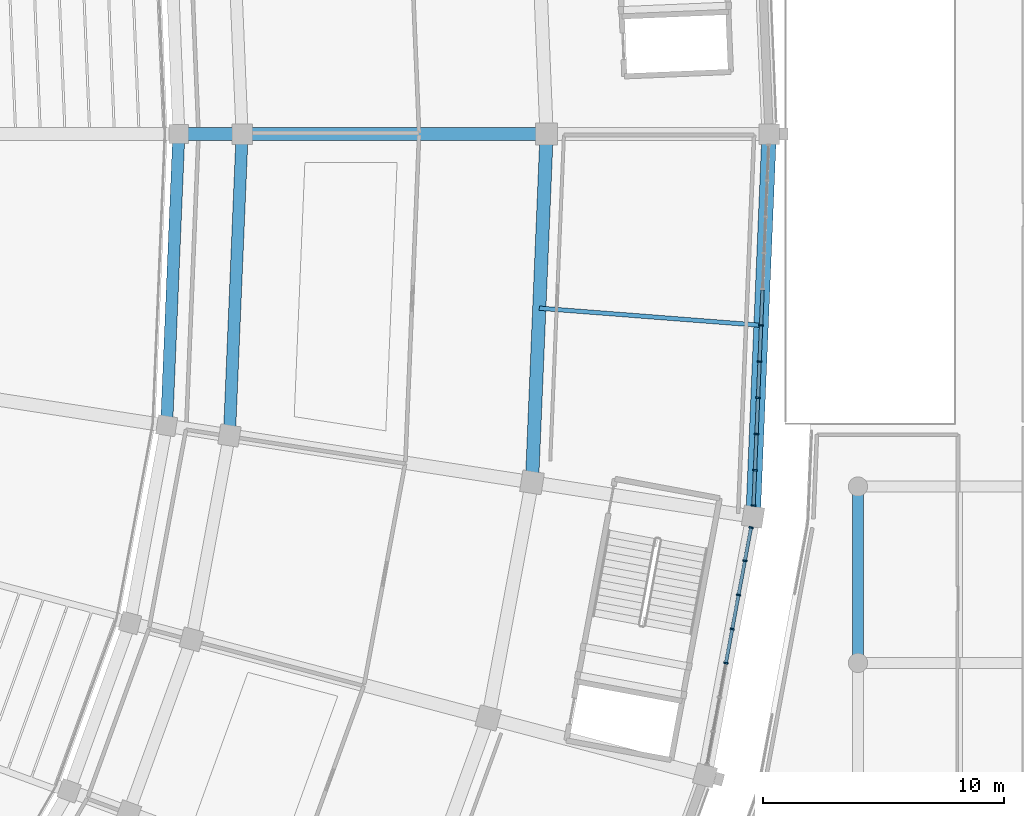
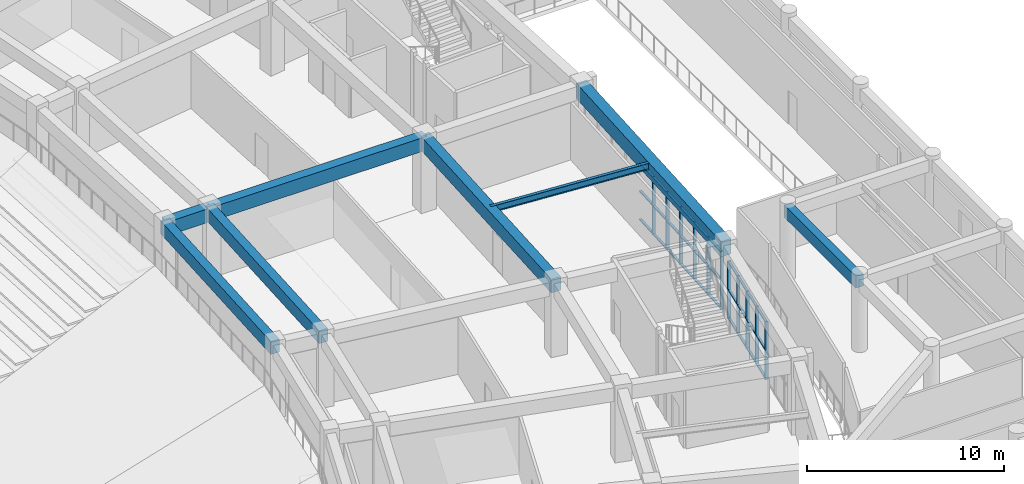
# One storey, part 48 of 152: 41 members, 8 beams, 2 elements without a shape of their own.
"""IFC4 building model written with IfcOpenShell, lengths in metres."""

from ifc_helpers import new_model, si_unit, direction, frame, origin, origin_2d, place, context, subcontext, project, spatial, rectangle, i_section, extrude, material, layer, layer_set, material_profile, profile_set, type_object, element, aggregate, save


model = new_model("IFC4")

# Units and contexts
model_context = context("Model", 3, precision=1e-05, world=origin(), true_north=direction((0.0, 1.0)))
body_context = subcontext(model_context, "Body", "Model", "MODEL_VIEW")
ifc_project = project(units=[si_unit("LENGTHUNIT", "METRE"), si_unit("AREAUNIT", "SQUARE_METRE"), si_unit("VOLUMEUNIT", "CUBIC_METRE"), si_unit("PLANEANGLEUNIT", "RADIAN"), si_unit("MASSUNIT", "GRAM", prefix="KILO")], contexts=[model_context])

# Site, building, storey
site_placement = place(None, origin())
site = spatial("IfcSite", under=ifc_project, at=site_placement, CompositionType="ELEMENT")
building_placement = place(site_placement, origin())
building = spatial("IfcBuilding", under=site, at=building_placement, Name="Mphavela Belvedere Stadium", CompositionType="ELEMENT")
storey_placement = place(building_placement, frame((0.0, 0.0, 5.39990234375)))
storey = spatial("IfcBuildingStorey", under=building, at=storey_placement, Name="L01", CompositionType="ELEMENT", Elevation=5.39990234375)

# Beams
ifc_material_1 = material(Name="Concrete C40/50", Category="concrete")
ifc_material_profile_1 = material_profile(ifc_material_1, rectangle(XDim=0.60009765625, YDim=0.949951171875, at=origin_2d()), Name="RC 600x950")
ifc_profile_set_1 = profile_set([ifc_material_profile_1], Name="Concrete C40/50")
beam_type_1 = type_object("IfcBeamType", Name="BM-ENTABLATURE-950", PredefinedType="SPANDREL", material=ifc_profile_set_1)
beam_1_placement = place(storey_placement, frame((217.155517578125, 71.155029296875, 4.0751953125), z_axis=(0.041903963155, 0.999121643181, 0.0), x_axis=(-0.999121643181, 0.041903963155, 0.0)))
element("IfcBeam", 1, at=beam_1_placement, inside=storey, type_object=beam_type_1, Name="Circumferential girder L01 R4-48", PredefinedType="SPANDREL", context=body_context, shape_type="SweptSolid", body=[
    extrude(rectangle(XDim=0.60009765625, YDim=0.949951171875, at=origin_2d()), origin(), (0.0, 0.0, 1.0), 15.85888671875),
])
ifc_material_2 = material(Name="Steel S355", Category="steel")
ifc_material_profile_2 = material_profile(ifc_material_2, i_section(OverallWidth=0.179931640625, OverallDepth=0.39990234375, WebThickness=0.008544921875, FlangeThickness=0.013427734375, at=origin_2d()), Name="IPE 400")
ifc_profile_set_2 = profile_set([ifc_material_profile_2], Name="Steel S355")
beam_type_2 = type_object("IfcBeamType", Name="BM-JOIST-IPE400", PredefinedType="JOIST", material=ifc_profile_set_2)
beam_2_placement = place(storey_placement, frame((208.302490234375, 79.78759765625, 4.35009765625), z_axis=(0.997024166372, -0.077089634, 0.0), x_axis=(0.077089634, 0.997024166372, 0.0)))
element("IfcBeam", 2, at=beam_2_placement, inside=storey, type_object=beam_type_2, Name="Concourse floor joist L01-48", PredefinedType="JOIST", context=body_context, shape_type="SweptSolid", body=[
    extrude(i_section(OverallWidth=0.179931640625, OverallDepth=0.39990234375, WebThickness=0.008544921875, FlangeThickness=0.013427734375, at=origin_2d()), origin(), (0.0, 0.0, 1.0), 9.212646484375),
])
ifc_material_3 = material(Name="Concrete C40/50", Category="concrete")
ifc_material_profile_3 = material_profile(ifc_material_3, rectangle(XDim=0.449951171875, YDim=0.75, at=origin_2d()), Name="RC 450x750")
ifc_profile_set_3 = profile_set([ifc_material_profile_3], Name="Concrete C40/50")
beam_type_3 = type_object("IfcBeamType", Name="BM-RC450x750", PredefinedType="BEAM", material=ifc_profile_set_3)
beam_3_placement = place(storey_placement, frame((221.5, 65.10009765625, 4.1650390625), z_axis=(0.0, 1.0, 0.0), x_axis=(-1.0, 0.0, 0.0)))
element("IfcBeam", 3, at=beam_3_placement, inside=storey, type_object=beam_type_3, Name="East Planted Eaves Peristyle Colonnade entablature beam Y L01 8-3", PredefinedType="BEAM", context=body_context, shape_type="SweptSolid", body=[
    extrude(rectangle(XDim=0.449951171875, YDim=0.75, at=origin_2d()), origin(), (0.0, 0.0, 1.0), 7.2998046875),
])
ifc_material_4 = material(Name="Concrete C40/50", Category="concrete")
ifc_material_profile_4 = material_profile(ifc_material_4, rectangle(XDim=0.5, YDim=0.800048828125, at=origin_2d()), Name="RC 500x800")
ifc_profile_set_4 = profile_set([ifc_material_profile_4], Name="Concrete C40/50")
beam_type_4 = type_object("IfcBeamType", Name="BM-RC500x800", PredefinedType="BEAM", material=ifc_profile_set_4)
beam_4_placement = place(storey_placement, frame((192.869384765625, 74.921875, 4.150146484375), z_axis=(0.041906072647, 0.999121554705, 0.0), x_axis=(-0.999121554705, 0.041906072647, 0.0)))
element("IfcBeam", 4, at=beam_4_placement, inside=storey, type_object=beam_type_4, Name="Circumferential girder L01 R1-48", PredefinedType="BEAM", context=body_context, shape_type="SweptSolid", body=[
    extrude(rectangle(XDim=0.5, YDim=0.800048828125, at=origin_2d()), origin(), (0.0, 0.0, 1.0), 12.088623046875),
])
beam_5_placement = place(storey_placement, frame((195.471435546875, 74.518310546875, 4.150146484375), z_axis=(0.04191911123, 0.999121007743, 0.0), x_axis=(-0.999121007743, 0.04191911123, 0.0)))
element("IfcBeam", 5, at=beam_5_placement, inside=storey, type_object=beam_type_4, Name="Circumferential girder L01 R2-48", PredefinedType="BEAM", context=body_context, shape_type="SweptSolid", body=[
    extrude(rectangle(XDim=0.5, YDim=0.800048828125, at=origin_2d()), origin(), (0.0, 0.0, 1.0), 12.49267578125),
])
ifc_material_5 = material(Name="Concrete C40/50", Category="concrete")
ifc_material_profile_5 = material_profile(ifc_material_5, rectangle(XDim=0.550048828125, YDim=0.85009765625, at=origin_2d()), Name="RC 550x850")
ifc_profile_set_5 = profile_set([ifc_material_profile_5], Name="Concrete C40/50")
beam_type_5 = type_object("IfcBeamType", Name="BM-RC550x850", PredefinedType="BEAM", material=ifc_profile_set_5)
beam_6_placement = place(storey_placement, frame((193.3759765625, 87.0, 4.125), z_axis=(1.0, 0.0, 0.0), x_axis=(0.0, 1.0, 0.0)))
element("IfcBeam", 6, at=beam_6_placement, inside=storey, type_object=beam_type_5, Name="Radial concourse girder L01 R1R2-01", PredefinedType="BEAM", context=body_context, shape_type="SweptSolid", body=[
    extrude(rectangle(XDim=0.550048828125, YDim=0.85009765625, at=origin_2d()), origin(), (0.0, 0.0, 1.0), 2.619140625),
])
beam_7_placement = place(storey_placement, frame((195.9951171875, 87.0, 4.125), z_axis=(1.0, 0.0, 0.0), x_axis=(0.0, 1.0, 0.0)))
element("IfcBeam", 7, at=beam_7_placement, inside=storey, type_object=beam_type_5, Name="Radial concourse girder L01 R2R3-01", PredefinedType="BEAM", context=body_context, shape_type="SweptSolid", body=[
    extrude(rectangle(XDim=0.550048828125, YDim=0.85009765625, at=origin_2d()), origin(), (0.0, 0.0, 1.0), 12.60986328125),
])
beam_8_placement = place(storey_placement, frame((208.0, 72.5751953125, 4.125), z_axis=(0.041903450766, 0.99912166467, 0.0), x_axis=(-0.99912166467, 0.041903450766, 0.0)))
element("IfcBeam", 8, at=beam_8_placement, inside=storey, type_object=beam_type_5, Name="Circumferential girder L01 R3-48", PredefinedType="BEAM", context=body_context, shape_type="SweptSolid", body=[
    extrude(rectangle(XDim=0.550048828125, YDim=0.85009765625, at=origin_2d()), origin(), (0.0, 0.0, 1.0), 14.4375),
])

# Curtain wall, members
ifc_material_6 = material(Name="Anodised bronze unitised curtain wall framing")
ifc_layer_1 = layer(ifc_material_6, 0.199951171875)
ifc_layer_set_1 = layer_set([ifc_layer_1], Name="Anodised bronze unitised curtain wall framing")
curtain_wall_type_1 = type_object("IfcCurtainWallType", Name="CW-UNIT-05", PredefinedType="USERDEFINED", material=ifc_layer_set_1)
curtain_wall_1_placement = place(storey_placement, origin())
curtain_wall_1 = element("IfcCurtainWall", 9, at=curtain_wall_1_placement, inside=storey, type_object=curtain_wall_type_1, Name="Belvedere colonnade curtain wall L01-47", ObjectType="UNITISED CURTAIN WALL", PredefinedType="USERDEFINED")
ifc_material_7 = material(Name="Anodised bronze extruded aluminium", Category="aluminium")
ifc_material_profile_6 = material_profile(ifc_material_7, rectangle(XDim=0.179931640625, YDim=0.06494140625, at=origin_2d()), Name="CW-MUL 180x65")
ifc_profile_set_6 = profile_set([ifc_material_profile_6], Name="Anodised bronze extruded aluminium")
member_type_1 = type_object("IfcMemberType", Name="CWM-180x65", PredefinedType="MULLION", material=ifc_profile_set_6)
member_1_placement = place(storey_placement, frame((216.02880859375, 65.090087890625, 0.0), z_axis=(0.0, 0.0, 1.0), x_axis=(-0.983183659932, 0.182619524814, 0.0)))
member_1 = element("IfcMember", 10, at=member_1_placement, type_object=member_type_1, Name="CW-05 mullion 4", PredefinedType="MULLION", context=body_context, shape_type="SweptSolid", body=[
    extrude(rectangle(XDim=0.179931640625, YDim=0.06494140625, at=origin_2d()), origin(), (0.0, 0.0, 1.0), 3.570068359375),
])
member_2_placement = place(storey_placement, frame((216.291259765625, 66.50244140625, 0.0), z_axis=(0.0, 0.0, 1.0), x_axis=(-0.983183659932, 0.182619524814, 0.0)))
member_2 = element("IfcMember", 11, at=member_2_placement, type_object=member_type_1, Name="CW-05 mullion 5", PredefinedType="MULLION", context=body_context, shape_type="SweptSolid", body=[
    extrude(rectangle(XDim=0.179931640625, YDim=0.06494140625, at=origin_2d()), origin(), (0.0, 0.0, 1.0), 3.570068359375),
])
member_3_placement = place(storey_placement, frame((216.553466796875, 67.91455078125, 0.0), z_axis=(0.0, 0.0, 1.0), x_axis=(-0.983183659932, 0.182619524814, 0.0)))
member_3 = element("IfcMember", 12, at=member_3_placement, type_object=member_type_1, Name="CW-05 mullion 6", PredefinedType="MULLION", context=body_context, shape_type="SweptSolid", body=[
    extrude(rectangle(XDim=0.179931640625, YDim=0.06494140625, at=origin_2d()), origin(), (0.0, 0.0, 1.0), 3.570068359375),
])
member_4_placement = place(storey_placement, frame((216.815673828125, 69.326904296875, 0.0), z_axis=(0.0, 0.0, 1.0), x_axis=(-0.983183659932, 0.182619524814, 0.0)))
member_4 = element("IfcMember", 13, at=member_4_placement, type_object=member_type_1, Name="CW-05 mullion 7", PredefinedType="MULLION", context=body_context, shape_type="SweptSolid", body=[
    extrude(rectangle(XDim=0.179931640625, YDim=0.06494140625, at=origin_2d()), origin(), (0.0, 0.0, 1.0), 3.570068359375),
])
member_5_placement = place(storey_placement, frame((217.072265625, 70.70703125, 0.0), z_axis=(0.0, 0.0, 1.0), x_axis=(-0.983183659932, 0.182619524814, 0.0)))
member_5 = element("IfcMember", 14, at=member_5_placement, type_object=member_type_1, Name="CW-05 mullion 8", PredefinedType="MULLION", context=body_context, shape_type="SweptSolid", body=[
    extrude(rectangle(XDim=0.179931640625, YDim=0.06494140625, at=origin_2d()), origin(), (0.0, 0.0, 1.0), 3.570068359375),
])

ifc_material_8 = material(Name="Anodised bronze unitised curtain wall framing")
ifc_layer_2 = layer(ifc_material_8, 0.205078125)
ifc_layer_set_2 = layer_set([ifc_layer_2], Name="Anodised bronze unitised curtain wall framing")
curtain_wall_type_2 = type_object("IfcCurtainWallType", Name="CW-UNIT-06", PredefinedType="USERDEFINED", material=ifc_layer_set_2)
curtain_wall_2_placement = place(storey_placement, origin())
curtain_wall_2 = element("IfcCurtainWall", 15, at=curtain_wall_2_placement, inside=storey, type_object=curtain_wall_type_2, Name="Belvedere colonnade curtain wall L01-48", ObjectType="UNITISED CURTAIN WALL", PredefinedType="USERDEFINED")
member_6_placement = place(storey_placement, frame((217.174560546875, 71.610107421875, 0.0), z_axis=(0.0, 0.0, 1.0), x_axis=(-0.999121374449, 0.04191037006, 0.0)))
member_6 = element("IfcMember", 16, at=member_6_placement, type_object=member_type_1, Name="CW-06 mullion 1", PredefinedType="MULLION", context=body_context, shape_type="SweptSolid", body=[
    extrude(rectangle(XDim=0.179931640625, YDim=0.06494140625, at=origin_2d()), origin(), (0.0, 0.0, 1.0), 3.570068359375),
])
member_7_placement = place(storey_placement, frame((217.236083984375, 73.07763671875, 0.0), z_axis=(0.0, 0.0, 1.0), x_axis=(-0.999121374449, 0.04191037006, 0.0)))
member_7 = element("IfcMember", 17, at=member_7_placement, type_object=member_type_1, Name="CW-06 mullion 2", PredefinedType="MULLION", context=body_context, shape_type="SweptSolid", body=[
    extrude(rectangle(XDim=0.179931640625, YDim=0.06494140625, at=origin_2d()), origin(), (0.0, 0.0, 1.0), 3.570068359375),
])
member_8_placement = place(storey_placement, frame((217.298828125, 74.57763671875, 0.0), z_axis=(0.0, 0.0, 1.0), x_axis=(-0.999121374449, 0.04191037006, 0.0)))
member_8 = element("IfcMember", 18, at=member_8_placement, type_object=member_type_1, Name="CW-06 mullion 3", PredefinedType="MULLION", context=body_context, shape_type="SweptSolid", body=[
    extrude(rectangle(XDim=0.179931640625, YDim=0.06494140625, at=origin_2d()), origin(), (0.0, 0.0, 1.0), 3.570068359375),
])
member_9_placement = place(storey_placement, frame((217.36181640625, 76.07763671875, 0.0), z_axis=(0.0, 0.0, 1.0), x_axis=(-0.999121374449, 0.04191037006, 0.0)))
member_9 = element("IfcMember", 19, at=member_9_placement, type_object=member_type_1, Name="CW-06 mullion 4", PredefinedType="MULLION", context=body_context, shape_type="SweptSolid", body=[
    extrude(rectangle(XDim=0.179931640625, YDim=0.06494140625, at=origin_2d()), origin(), (0.0, 0.0, 1.0), 3.570068359375),
])
member_10_placement = place(storey_placement, frame((217.4248046875, 77.57763671875, 0.0), z_axis=(0.0, 0.0, 1.0), x_axis=(-0.999121374449, 0.04191037006, 0.0)))
member_10 = element("IfcMember", 20, at=member_10_placement, type_object=member_type_1, Name="CW-06 mullion 5", PredefinedType="MULLION", context=body_context, shape_type="SweptSolid", body=[
    extrude(rectangle(XDim=0.179931640625, YDim=0.06494140625, at=origin_2d()), origin(), (0.0, 0.0, 1.0), 3.570068359375),
])
member_11_placement = place(storey_placement, frame((217.48779296875, 79.077392578125, 0.0), z_axis=(0.0, 0.0, 1.0), x_axis=(-0.999121374449, 0.04191037006, 0.0)))
member_11 = element("IfcMember", 21, at=member_11_placement, type_object=member_type_1, Name="CW-06 mullion 6", PredefinedType="MULLION", context=body_context, shape_type="SweptSolid", body=[
    extrude(rectangle(XDim=0.179931640625, YDim=0.06494140625, at=origin_2d()), origin(), (0.0, 0.0, 1.0), 3.570068359375),
])

# Member
ifc_material_9 = material(Name="Anodised bronze extruded aluminium", Category="aluminium")
ifc_material_profile_7 = material_profile(ifc_material_9, rectangle(XDim=0.139892578125, YDim=0.06005859375, at=origin_2d()), Name="CW-TRN 140x60")
ifc_profile_set_7 = profile_set([ifc_material_profile_7], Name="Anodised bronze extruded aluminium")
member_type_2 = type_object("IfcMemberType", Name="CWT-140x60", PredefinedType="USERDEFINED", material=ifc_profile_set_7)
member_12_placement = place(storey_placement, frame((216.03466796875, 65.1220703125, 0.030029296875), z_axis=(0.182643817711, 0.983179147385, 0.0), x_axis=(-0.983179147385, 0.182643817711, 0.0)))
member_12 = element("IfcMember", 22, at=member_12_placement, type_object=member_type_2, Name="CW-05 transom 4.1", ObjectType="TRANSOM", PredefinedType="USERDEFINED", context=body_context, shape_type="SweptSolid", body=[
    extrude(rectangle(XDim=0.139892578125, YDim=0.06005859375, at=origin_2d()), origin(), (0.0, 0.0, 1.0), 1.371337890625),
])

member_13_placement = place(storey_placement, frame((216.03466796875, 65.1220703125, 1.78515625), z_axis=(0.182643817711, 0.983179147385, 0.0), x_axis=(-0.983179147385, 0.182643817711, 0.0)))
member_13 = element("IfcMember", 23, at=member_13_placement, type_object=member_type_2, Name="CW-05 transom 4.2", ObjectType="TRANSOM", PredefinedType="USERDEFINED", context=body_context, shape_type="SweptSolid", body=[
    extrude(rectangle(XDim=0.139892578125, YDim=0.06005859375, at=origin_2d()), origin(), (0.0, 0.0, 1.0), 1.371337890625),
])

member_14_placement = place(storey_placement, frame((216.03466796875, 65.1220703125, 3.5400390625), z_axis=(0.182643817711, 0.983179147385, 0.0), x_axis=(-0.983179147385, 0.182643817711, 0.0)))
member_14 = element("IfcMember", 24, at=member_14_placement, type_object=member_type_2, Name="CW-05 transom 4.3", ObjectType="TRANSOM", PredefinedType="USERDEFINED", context=body_context, shape_type="SweptSolid", body=[
    extrude(rectangle(XDim=0.139892578125, YDim=0.06005859375, at=origin_2d()), origin(), (0.0, 0.0, 1.0), 1.371337890625),
])

member_15_placement = place(storey_placement, frame((216.297119140625, 66.534423828125, 0.030029296875), z_axis=(0.182675789722, 0.983173207451, 0.0), x_axis=(-0.983173207451, 0.182675789722, 0.0)))
member_15 = element("IfcMember", 25, at=member_15_placement, type_object=member_type_2, Name="CW-05 transom 5.1", ObjectType="TRANSOM", PredefinedType="USERDEFINED", context=body_context, shape_type="SweptSolid", body=[
    extrude(rectangle(XDim=0.139892578125, YDim=0.06005859375, at=origin_2d()), origin(), (0.0, 0.0, 1.0), 1.371337890625),
])

member_16_placement = place(storey_placement, frame((216.297119140625, 66.534423828125, 1.78515625), z_axis=(0.182675789722, 0.983173207451, 0.0), x_axis=(-0.983173207451, 0.182675789722, 0.0)))
member_16 = element("IfcMember", 26, at=member_16_placement, type_object=member_type_2, Name="CW-05 transom 5.2", ObjectType="TRANSOM", PredefinedType="USERDEFINED", context=body_context, shape_type="SweptSolid", body=[
    extrude(rectangle(XDim=0.139892578125, YDim=0.06005859375, at=origin_2d()), origin(), (0.0, 0.0, 1.0), 1.371337890625),
])

member_17_placement = place(storey_placement, frame((216.297119140625, 66.534423828125, 3.5400390625), z_axis=(0.182675789722, 0.983173207451, 0.0), x_axis=(-0.983173207451, 0.182675789722, 0.0)))
member_17 = element("IfcMember", 27, at=member_17_placement, type_object=member_type_2, Name="CW-05 transom 5.3", ObjectType="TRANSOM", PredefinedType="USERDEFINED", context=body_context, shape_type="SweptSolid", body=[
    extrude(rectangle(XDim=0.139892578125, YDim=0.06005859375, at=origin_2d()), origin(), (0.0, 0.0, 1.0), 1.371337890625),
])

member_18_placement = place(storey_placement, frame((216.559326171875, 67.946533203125, 0.030029296875), z_axis=(0.182643817711, 0.983179147385, 0.0), x_axis=(-0.983179147385, 0.182643817711, 0.0)))
member_18 = element("IfcMember", 28, at=member_18_placement, type_object=member_type_2, Name="CW-05 transom 6.1", ObjectType="TRANSOM", PredefinedType="USERDEFINED", context=body_context, shape_type="SweptSolid", body=[
    extrude(rectangle(XDim=0.139892578125, YDim=0.06005859375, at=origin_2d()), origin(), (0.0, 0.0, 1.0), 1.371337890625),
])

member_19_placement = place(storey_placement, frame((216.559326171875, 67.946533203125, 1.78515625), z_axis=(0.182643817711, 0.983179147385, 0.0), x_axis=(-0.983179147385, 0.182643817711, 0.0)))
member_19 = element("IfcMember", 29, at=member_19_placement, type_object=member_type_2, Name="CW-05 transom 6.2", ObjectType="TRANSOM", PredefinedType="USERDEFINED", context=body_context, shape_type="SweptSolid", body=[
    extrude(rectangle(XDim=0.139892578125, YDim=0.06005859375, at=origin_2d()), origin(), (0.0, 0.0, 1.0), 1.371337890625),
])

member_20_placement = place(storey_placement, frame((216.559326171875, 67.946533203125, 3.5400390625), z_axis=(0.182643817711, 0.983179147385, 0.0), x_axis=(-0.983179147385, 0.182643817711, 0.0)))
member_20 = element("IfcMember", 30, at=member_20_placement, type_object=member_type_2, Name="CW-05 transom 6.3", ObjectType="TRANSOM", PredefinedType="USERDEFINED", context=body_context, shape_type="SweptSolid", body=[
    extrude(rectangle(XDim=0.139892578125, YDim=0.06005859375, at=origin_2d()), origin(), (0.0, 0.0, 1.0), 1.371337890625),
])

member_21_placement = place(storey_placement, frame((216.82177734375, 69.35888671875, 0.030029296875), z_axis=(0.182526723568, 0.983200892587, 0.0), x_axis=(-0.983200892587, 0.182526723568, 0.0)))
member_21 = element("IfcMember", 31, at=member_21_placement, type_object=member_type_2, Name="CW-05 transom 7.1", ObjectType="TRANSOM", PredefinedType="USERDEFINED", context=body_context, shape_type="SweptSolid", body=[
    extrude(rectangle(XDim=0.139892578125, YDim=0.06005859375, at=origin_2d()), origin(), (0.0, 0.0, 1.0), 1.3388671875),
])

member_22_placement = place(storey_placement, frame((216.82177734375, 69.35888671875, 1.78515625), z_axis=(0.182526723568, 0.983200892587, 0.0), x_axis=(-0.983200892587, 0.182526723568, 0.0)))
member_22 = element("IfcMember", 32, at=member_22_placement, type_object=member_type_2, Name="CW-05 transom 7.2", ObjectType="TRANSOM", PredefinedType="USERDEFINED", context=body_context, shape_type="SweptSolid", body=[
    extrude(rectangle(XDim=0.139892578125, YDim=0.06005859375, at=origin_2d()), origin(), (0.0, 0.0, 1.0), 1.3388671875),
])

member_23_placement = place(storey_placement, frame((216.82177734375, 69.35888671875, 3.5400390625), z_axis=(0.182526723568, 0.983200892587, 0.0), x_axis=(-0.983200892587, 0.182526723568, 0.0)))
member_23 = element("IfcMember", 33, at=member_23_placement, type_object=member_type_2, Name="CW-05 transom 7.3", ObjectType="TRANSOM", PredefinedType="USERDEFINED", context=body_context, shape_type="SweptSolid", body=[
    extrude(rectangle(XDim=0.139892578125, YDim=0.06005859375, at=origin_2d()), origin(), (0.0, 0.0, 1.0), 1.3388671875),
])

aggregate(curtain_wall_1, [member_1, member_2, member_3, member_4, member_5, member_12, member_13, member_14, member_15, member_16, member_17, member_18, member_19, member_20, member_21, member_22, member_23])

member_24_placement = place(storey_placement, frame((217.17578125, 71.642578125, 0.030029296875), z_axis=(0.041912659373, 0.999121278416, 0.0), x_axis=(-0.999121278416, 0.041912659373, 0.0)))
member_24 = element("IfcMember", 34, at=member_24_placement, type_object=member_type_2, Name="CW-06 transom 1.1", ObjectType="TRANSOM", PredefinedType="USERDEFINED", context=body_context, shape_type="SweptSolid", body=[
    extrude(rectangle(XDim=0.139892578125, YDim=0.06005859375, at=origin_2d()), origin(), (0.0, 0.0, 1.0), 1.40380859375),
])

member_25_placement = place(storey_placement, frame((217.17578125, 71.642578125, 1.78515625), z_axis=(0.041912659373, 0.999121278416, 0.0), x_axis=(-0.999121278416, 0.041912659373, 0.0)))
member_25 = element("IfcMember", 35, at=member_25_placement, type_object=member_type_2, Name="CW-06 transom 1.2", ObjectType="TRANSOM", PredefinedType="USERDEFINED", context=body_context, shape_type="SweptSolid", body=[
    extrude(rectangle(XDim=0.139892578125, YDim=0.06005859375, at=origin_2d()), origin(), (0.0, 0.0, 1.0), 1.40380859375),
])

member_26_placement = place(storey_placement, frame((217.17578125, 71.642578125, 3.5400390625), z_axis=(0.041912659373, 0.999121278416, 0.0), x_axis=(-0.999121278416, 0.041912659373, 0.0)))
member_26 = element("IfcMember", 36, at=member_26_placement, type_object=member_type_2, Name="CW-06 transom 1.3", ObjectType="TRANSOM", PredefinedType="USERDEFINED", context=body_context, shape_type="SweptSolid", body=[
    extrude(rectangle(XDim=0.139892578125, YDim=0.06005859375, at=origin_2d()), origin(), (0.0, 0.0, 1.0), 1.40380859375),
])

member_27_placement = place(storey_placement, frame((217.2373046875, 73.110107421875, 0.030029296875), z_axis=(0.041984044824, 0.999118281276, 0.0), x_axis=(-0.999118281276, 0.041984044824, 0.0)))
member_27 = element("IfcMember", 37, at=member_27_placement, type_object=member_type_2, Name="CW-06 transom 2.1", ObjectType="TRANSOM", PredefinedType="USERDEFINED", context=body_context, shape_type="SweptSolid", body=[
    extrude(rectangle(XDim=0.139892578125, YDim=0.06005859375, at=origin_2d()), origin(), (0.0, 0.0, 1.0), 1.436279296875),
])

member_28_placement = place(storey_placement, frame((217.2373046875, 73.110107421875, 1.78515625), z_axis=(0.041984044824, 0.999118281276, 0.0), x_axis=(-0.999118281276, 0.041984044824, 0.0)))
member_28 = element("IfcMember", 38, at=member_28_placement, type_object=member_type_2, Name="CW-06 transom 2.2", ObjectType="TRANSOM", PredefinedType="USERDEFINED", context=body_context, shape_type="SweptSolid", body=[
    extrude(rectangle(XDim=0.139892578125, YDim=0.06005859375, at=origin_2d()), origin(), (0.0, 0.0, 1.0), 1.436279296875),
])

member_29_placement = place(storey_placement, frame((217.2373046875, 73.110107421875, 3.5400390625), z_axis=(0.041984044824, 0.999118281276, 0.0), x_axis=(-0.999118281276, 0.041984044824, 0.0)))
member_29 = element("IfcMember", 39, at=member_29_placement, type_object=member_type_2, Name="CW-06 transom 2.3", ObjectType="TRANSOM", PredefinedType="USERDEFINED", context=body_context, shape_type="SweptSolid", body=[
    extrude(rectangle(XDim=0.139892578125, YDim=0.06005859375, at=origin_2d()), origin(), (0.0, 0.0, 1.0), 1.436279296875),
])

member_30_placement = place(storey_placement, frame((217.30029296875, 74.610107421875, 0.030029296875), z_axis=(0.041984044824, 0.999118281276, 0.0), x_axis=(-0.999118281276, 0.041984044824, 0.0)))
member_30 = element("IfcMember", 40, at=member_30_placement, type_object=member_type_2, Name="CW-06 transom 3.1", ObjectType="TRANSOM", PredefinedType="USERDEFINED", context=body_context, shape_type="SweptSolid", body=[
    extrude(rectangle(XDim=0.139892578125, YDim=0.06005859375, at=origin_2d()), origin(), (0.0, 0.0, 1.0), 1.436279296875),
])

member_31_placement = place(storey_placement, frame((217.30029296875, 74.610107421875, 1.78515625), z_axis=(0.041984044824, 0.999118281276, 0.0), x_axis=(-0.999118281276, 0.041984044824, 0.0)))
member_31 = element("IfcMember", 41, at=member_31_placement, type_object=member_type_2, Name="CW-06 transom 3.2", ObjectType="TRANSOM", PredefinedType="USERDEFINED", context=body_context, shape_type="SweptSolid", body=[
    extrude(rectangle(XDim=0.139892578125, YDim=0.06005859375, at=origin_2d()), origin(), (0.0, 0.0, 1.0), 1.436279296875),
])

member_32_placement = place(storey_placement, frame((217.30029296875, 74.610107421875, 3.5400390625), z_axis=(0.041984044824, 0.999118281276, 0.0), x_axis=(-0.999118281276, 0.041984044824, 0.0)))
member_32 = element("IfcMember", 42, at=member_32_placement, type_object=member_type_2, Name="CW-06 transom 3.3", ObjectType="TRANSOM", PredefinedType="USERDEFINED", context=body_context, shape_type="SweptSolid", body=[
    extrude(rectangle(XDim=0.139892578125, YDim=0.06005859375, at=origin_2d()), origin(), (0.0, 0.0, 1.0), 1.436279296875),
])

member_33_placement = place(storey_placement, frame((217.36328125, 76.110107421875, 0.030029296875), z_axis=(0.04181436673, 0.999125396902, 0.0), x_axis=(-0.999125396902, 0.04181436673, 0.0)))
member_33 = element("IfcMember", 43, at=member_33_placement, type_object=member_type_2, Name="CW-06 transom 4.1", ObjectType="TRANSOM", PredefinedType="USERDEFINED", context=body_context, shape_type="SweptSolid", body=[
    extrude(rectangle(XDim=0.139892578125, YDim=0.06005859375, at=origin_2d()), origin(), (0.0, 0.0, 1.0), 1.436279296875),
])

member_34_placement = place(storey_placement, frame((217.36328125, 76.110107421875, 1.78515625), z_axis=(0.04181436673, 0.999125396902, 0.0), x_axis=(-0.999125396902, 0.04181436673, 0.0)))
member_34 = element("IfcMember", 44, at=member_34_placement, type_object=member_type_2, Name="CW-06 transom 4.2", ObjectType="TRANSOM", PredefinedType="USERDEFINED", context=body_context, shape_type="SweptSolid", body=[
    extrude(rectangle(XDim=0.139892578125, YDim=0.06005859375, at=origin_2d()), origin(), (0.0, 0.0, 1.0), 1.436279296875),
])

member_35_placement = place(storey_placement, frame((217.36328125, 76.110107421875, 3.5400390625), z_axis=(0.04181436673, 0.999125396902, 0.0), x_axis=(-0.999125396902, 0.04181436673, 0.0)))
member_35 = element("IfcMember", 45, at=member_35_placement, type_object=member_type_2, Name="CW-06 transom 4.3", ObjectType="TRANSOM", PredefinedType="USERDEFINED", context=body_context, shape_type="SweptSolid", body=[
    extrude(rectangle(XDim=0.139892578125, YDim=0.06005859375, at=origin_2d()), origin(), (0.0, 0.0, 1.0), 1.436279296875),
])

member_36_placement = place(storey_placement, frame((217.426025390625, 77.610107421875, 0.030029296875), z_axis=(0.041991176017, 0.99911798159, 0.0), x_axis=(-0.99911798159, 0.041991176017, 0.0)))
member_36 = element("IfcMember", 46, at=member_36_placement, type_object=member_type_2, Name="CW-06 transom 5.1", ObjectType="TRANSOM", PredefinedType="USERDEFINED", context=body_context, shape_type="SweptSolid", body=[
    extrude(rectangle(XDim=0.139892578125, YDim=0.06005859375, at=origin_2d()), origin(), (0.0, 0.0, 1.0), 1.43603515625),
])

member_37_placement = place(storey_placement, frame((217.426025390625, 77.610107421875, 1.78515625), z_axis=(0.041991176017, 0.99911798159, 0.0), x_axis=(-0.99911798159, 0.041991176017, 0.0)))
member_37 = element("IfcMember", 47, at=member_37_placement, type_object=member_type_2, Name="CW-06 transom 5.2", ObjectType="TRANSOM", PredefinedType="USERDEFINED", context=body_context, shape_type="SweptSolid", body=[
    extrude(rectangle(XDim=0.139892578125, YDim=0.06005859375, at=origin_2d()), origin(), (0.0, 0.0, 1.0), 1.43603515625),
])

member_38_placement = place(storey_placement, frame((217.426025390625, 77.610107421875, 3.5400390625), z_axis=(0.041991176017, 0.99911798159, 0.0), x_axis=(-0.99911798159, 0.041991176017, 0.0)))
member_38 = element("IfcMember", 48, at=member_38_placement, type_object=member_type_2, Name="CW-06 transom 5.3", ObjectType="TRANSOM", PredefinedType="USERDEFINED", context=body_context, shape_type="SweptSolid", body=[
    extrude(rectangle(XDim=0.139892578125, YDim=0.06005859375, at=origin_2d()), origin(), (0.0, 0.0, 1.0), 1.43603515625),
])

member_39_placement = place(storey_placement, frame((217.489013671875, 79.10986328125, 0.030029296875), z_axis=(0.041984044824, 0.999118281276, 0.0), x_axis=(-0.999118281276, 0.041984044824, 0.0)))
member_39 = element("IfcMember", 49, at=member_39_placement, type_object=member_type_2, Name="CW-06 transom 6.1", ObjectType="TRANSOM", PredefinedType="USERDEFINED", context=body_context, shape_type="SweptSolid", body=[
    extrude(rectangle(XDim=0.139892578125, YDim=0.06005859375, at=origin_2d()), origin(), (0.0, 0.0, 1.0), 1.436279296875),
])

member_40_placement = place(storey_placement, frame((217.489013671875, 79.10986328125, 1.78515625), z_axis=(0.041984044824, 0.999118281276, 0.0), x_axis=(-0.999118281276, 0.041984044824, 0.0)))
member_40 = element("IfcMember", 50, at=member_40_placement, type_object=member_type_2, Name="CW-06 transom 6.2", ObjectType="TRANSOM", PredefinedType="USERDEFINED", context=body_context, shape_type="SweptSolid", body=[
    extrude(rectangle(XDim=0.139892578125, YDim=0.06005859375, at=origin_2d()), origin(), (0.0, 0.0, 1.0), 1.436279296875),
])

member_41_placement = place(storey_placement, frame((217.489013671875, 79.10986328125, 3.5400390625), z_axis=(0.041984044824, 0.999118281276, 0.0), x_axis=(-0.999118281276, 0.041984044824, 0.0)))
member_41 = element("IfcMember", 51, at=member_41_placement, type_object=member_type_2, Name="CW-06 transom 6.3", ObjectType="TRANSOM", PredefinedType="USERDEFINED", context=body_context, shape_type="SweptSolid", body=[
    extrude(rectangle(XDim=0.139892578125, YDim=0.06005859375, at=origin_2d()), origin(), (0.0, 0.0, 1.0), 1.436279296875),
])

aggregate(curtain_wall_2, [member_6, member_7, member_8, member_9, member_10, member_11, member_24, member_25, member_26, member_27, member_28, member_29, member_30, member_31, member_32, member_33, member_34, member_35, member_36, member_37, member_38, member_39, member_40, member_41])

save(model, "model.ifc")
